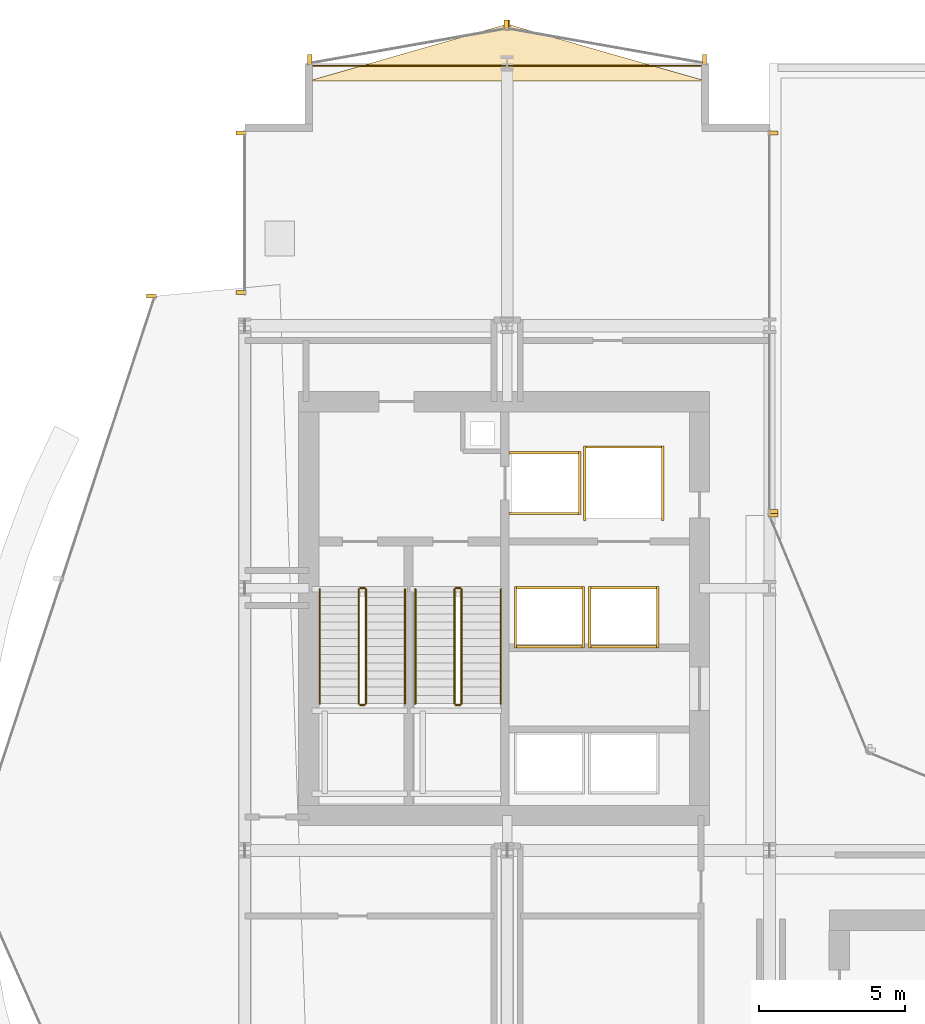
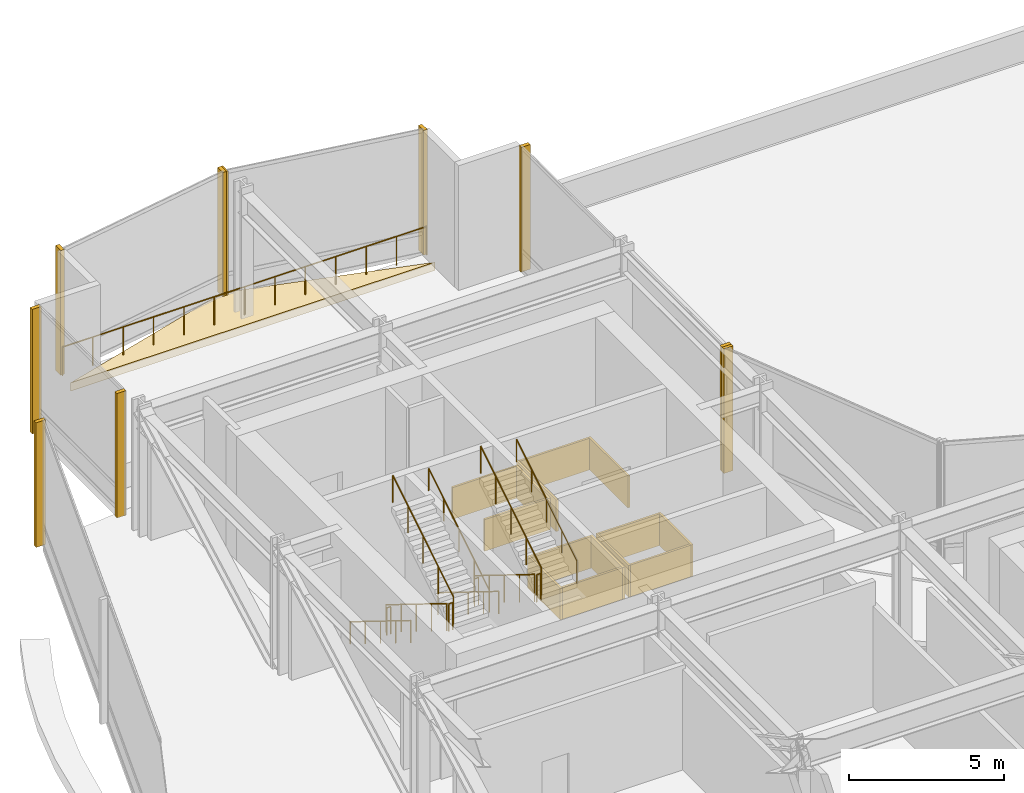
# One storey, part 35 of 37: 15 coverings, 13 railings, 10 shading devices.
"""IFC4 building model written with IfcOpenShell, lengths in metres."""

from ifc_helpers import new_model, si_unit, direction, frame, origin, origin_2d, place, context, subcontext, project, spatial, polyline, rectangle, circle, outline, extrude, material, layer, layer_set, type_object, element, save


model = new_model("IFC4")

# Units and contexts
model_context = context("Model", 3, precision=1e-05, world=origin(), true_north=direction((0.0, 1.0)))
body_context = subcontext(model_context, "Body", "Model", "MODEL_VIEW")
ifc_project = project(units=[si_unit("LENGTHUNIT", "METRE"), si_unit("AREAUNIT", "SQUARE_METRE"), si_unit("VOLUMEUNIT", "CUBIC_METRE"), si_unit("PLANEANGLEUNIT", "RADIAN"), si_unit("MASSUNIT", "GRAM", prefix="KILO")], contexts=[model_context])

# Site, building, storey
site_placement = place(None, origin())
site = spatial("IfcSite", under=ifc_project, at=site_placement, CompositionType="ELEMENT")
building_placement = place(site_placement, origin())
building = spatial("IfcBuilding", under=site, at=building_placement, Name="Solvaryn Broadcast Tower", CompositionType="ELEMENT")
storey_placement = place(building_placement, frame((0.0, 0.0, 30.800048828125)))
storey = spatial("IfcBuildingStorey", under=building, at=storey_placement, Name="L06", CompositionType="ELEMENT", Elevation=30.800048828125)

# Coverings
ifc_material_1 = material(Name="Fire-Rated Gypsum Shaftwall Liner", Category="concrete")
ifc_layer_1 = layer(ifc_material_1, 0.080078125)
ifc_layer_set_1 = layer_set([ifc_layer_1], Name="CV-SHAFT-LINER")
covering_type_1 = type_object("IfcCoveringType", Name="CV-SHAFT-LINER", PredefinedType="CLADDING", material=ifc_layer_set_1)
for number, where, z_axis, x_axis, name in (
    (1, (19.300048828125, 40.639892578125, 0.0), (0.0, 0.0, 1.0), (1.0, 0.0, 0.0), "L06 FL1 Hoistway Shaft Liner North"),
    (2, (19.300048828125, 38.56005859375, 0.0), (0.0, 0.0, 1.0), (1.0, 0.0, 0.0), "L06 FL1 Hoistway Shaft Liner South"),
):
    element("IfcCovering", number, at=place(storey_placement, frame(where, z_axis=z_axis, x_axis=x_axis)), inside=storey, type_object=covering_type_1, Name=name, PredefinedType="CLADDING", context=body_context, shape_type="SweptSolid", body=[
        extrude(rectangle(XDim=2.4599609375, YDim=0.080078125, at=origin_2d()), origin(), (0.0, 0.0, 1.0), 1.25),
    ])
covering_1_placement = place(storey_placement, frame((20.489990234375, 39.60009765625, 0.0), z_axis=(0.0, 0.0, 1.0), x_axis=(1.0, 0.0, 0.0)))
element("IfcCovering", 3, at=covering_1_placement, inside=storey, type_object=covering_type_1, Name="L06 FL1 Hoistway Shaft Liner East", PredefinedType="CLADDING", context=body_context, shape_type="SweptSolid", body=[
    extrude(rectangle(XDim=0.080078125, YDim=2.159912109375, at=origin_2d()), origin(), (0.0, 0.0, 1.0), 1.25),
])
covering_2_placement = place(storey_placement, frame((22.0, 40.840087890625, 0.0), z_axis=(0.0, 0.0, 1.0), x_axis=(1.0, 0.0, 0.0)))
element("IfcCovering", 4, at=covering_2_placement, inside=storey, type_object=covering_type_1, Name="L06 SV1 Hoistway Shaft Liner North", PredefinedType="CLADDING", context=body_context, shape_type="SweptSolid", body=[
    extrude(rectangle(XDim=2.760009765625, YDim=0.080078125, at=origin_2d()), origin(), (0.0, 0.0, 1.0), 1.25),
])
for number, where, z_axis, x_axis, name in (
    (5, (23.340087890625, 39.60009765625, 0.0), (0.0, 0.0, 1.0), (1.0, 0.0, 0.0), "L06 SV1 Hoistway Shaft Liner East"),
    (6, (20.659912109375, 39.60009765625, 0.0), (0.0, 0.0, 1.0), (1.0, 0.0, 0.0), "L06 SV1 Hoistway Shaft Liner West"),
):
    element("IfcCovering", number, at=place(storey_placement, frame(where, z_axis=z_axis, x_axis=x_axis)), inside=storey, type_object=covering_type_1, Name=name, PredefinedType="CLADDING", context=body_context, shape_type="SweptSolid", body=[
        extrude(rectangle(XDim=0.080078125, YDim=2.56005859375, at=origin_2d()), origin(), (0.0, 0.0, 1.0), 1.25),
    ])
for number, where, z_axis, x_axis, name in (
    (7, (19.449951171875, 36.014892578125, 0.0), (0.0, 0.0, 1.0), (1.0, 0.0, 0.0), "L06 PH3 Hoistway Shaft Liner North"),
    (8, (19.449951171875, 33.985107421875, 0.0), (0.0, 0.0, 1.0), (1.0, 0.0, 0.0), "L06 PH3 Hoistway Shaft Liner South"),
):
    element("IfcCovering", number, at=place(storey_placement, frame(where, z_axis=z_axis, x_axis=x_axis)), inside=storey, type_object=covering_type_1, Name=name, PredefinedType="CLADDING", context=body_context, shape_type="SweptSolid", body=[
        extrude(rectangle(XDim=2.409912109375, YDim=0.080078125, at=origin_2d()), origin(), (0.0, 0.0, 1.0), 1.25),
    ])
for number, where, z_axis, x_axis, name in (
    (9, (20.614990234375, 35.0, 0.0), (0.0, 0.0, 1.0), (1.0, 0.0, 0.0), "L06 PH3 Hoistway Shaft Liner East"),
    (10, (18.284912109375, 35.0, 0.0), (0.0, 0.0, 1.0), (1.0, 0.0, 0.0), "L06 PH3 Hoistway Shaft Liner West"),
):
    element("IfcCovering", number, at=place(storey_placement, frame(where, z_axis=z_axis, x_axis=x_axis)), inside=storey, type_object=covering_type_1, Name=name, PredefinedType="CLADDING", context=body_context, shape_type="SweptSolid", body=[
        extrude(rectangle(XDim=0.080078125, YDim=2.110107421875, at=origin_2d()), origin(), (0.0, 0.0, 1.0), 1.25),
    ])
for number, where, z_axis, x_axis, name in (
    (11, (22.0, 36.014892578125, 0.0), (0.0, 0.0, 1.0), (1.0, 0.0, 0.0), "L06 PH4 Hoistway Shaft Liner North"),
    (12, (22.0, 33.985107421875, 0.0), (0.0, 0.0, 1.0), (1.0, 0.0, 0.0), "L06 PH4 Hoistway Shaft Liner South"),
):
    element("IfcCovering", number, at=place(storey_placement, frame(where, z_axis=z_axis, x_axis=x_axis)), inside=storey, type_object=covering_type_1, Name=name, PredefinedType="CLADDING", context=body_context, shape_type="SweptSolid", body=[
        extrude(rectangle(XDim=2.409912109375, YDim=0.080078125, at=origin_2d()), origin(), (0.0, 0.0, 1.0), 1.25),
    ])
for number, where, z_axis, x_axis, name in (
    (13, (23.1650390625, 35.0, 0.0), (0.0, 0.0, 1.0), (1.0, 0.0, 0.0), "L06 PH4 Hoistway Shaft Liner East"),
    (14, (20.8349609375, 35.0, 0.0), (0.0, 0.0, 1.0), (1.0, 0.0, 0.0), "L06 PH4 Hoistway Shaft Liner West"),
):
    element("IfcCovering", number, at=place(storey_placement, frame(where, z_axis=z_axis, x_axis=x_axis)), inside=storey, type_object=covering_type_1, Name=name, PredefinedType="CLADDING", context=body_context, shape_type="SweptSolid", body=[
        extrude(rectangle(XDim=0.080078125, YDim=2.110107421875, at=origin_2d()), origin(), (0.0, 0.0, 1.0), 1.25),
    ])
ifc_material_2 = material(Name="Sculpted Architectural Terracotta Wave Fascia", Category="masonry")
ifc_layer_2 = layer(ifc_material_2, 0.340087890625)
ifc_layer_set_2 = layer_set([ifc_layer_2], Name="CV-WAVE-TRAY")
covering_type_2 = type_object("IfcCoveringType", Name="CV-WAVE-TRAY", PredefinedType="CLADDING", material=ifc_layer_set_2)
covering_3_placement = place(storey_placement, frame((0.0, 0.0, -0.300048828125)))
element("IfcCovering", 15, at=covering_3_placement, inside=storey, type_object=covering_type_2, Name="L06 North Curved Wing Deck", PredefinedType="CLADDING", context=body_context, shape_type="SweptSolid", body=[
    extrude(outline(polyline([(11.199951171875, 53.39990234375), (24.800048828125, 53.39990234375), (18.0, 55.35009765625), (11.199951171875, 53.39990234375)])), origin(), (0.0, 0.0, 1.0), 0.330078125),
])

# Railings
ifc_material_3 = material(Name="Painted Steel Stair Well Guard", Category="steel")
railing_type_1 = type_object("IfcRailingType", Name="RL-STAIR-GUARD", PredefinedType="BALUSTRADE", material=ifc_material_3)
railing_1_placement = place(storey_placement, frame((12.909912109375, 35.9599609375, 0.17333984375)))
element("IfcRailing", 16, at=railing_1_placement, inside=storey, type_object=railing_type_1, Name="L06 ST1 stair guard 1", PredefinedType="BALUSTRADE", context=body_context, shape_type="SweptSolid", body=[
    extrude(circle(Radius=0.02392578125, at=origin_2d()), frame((0.0, 0.0, 1.076171875), z_axis=(0.0, -0.850275303828, 0.526338206574), x_axis=(1.0, 0.0, 0.0)), (0.0, 0.0, 1.0), 4.610107421875),
    extrude(circle(Radius=0.02099609375, at=origin_2d()), origin(), (0.0, 0.0, 1.0), 1.052001953125),
    extrude(circle(Radius=0.02099609375, at=origin_2d()), frame((0.0, -0.97998046875, 0.606689453125)), (0.0, 0.0, 1.0), 1.052001953125),
    extrude(circle(Radius=0.02099609375, at=origin_2d()), frame((0.0, -1.9599609375, 1.21337890625)), (0.0, 0.0, 1.0), 1.052001953125),
    extrude(circle(Radius=0.02099609375, at=origin_2d()), frame((0.0, -2.93994140625, 1.81982421875)), (0.0, 0.0, 1.0), 1.052001953125),
    extrude(circle(Radius=0.02099609375, at=origin_2d()), frame((0.0, -3.919921875, 2.426513671875)), (0.0, 0.0, 1.0), 1.052001953125),
])
railing_2_placement = place(storey_placement, frame((12.9599609375, 31.989990234375, 2.599853515625)))
element("IfcRailing", 17, at=railing_2_placement, inside=storey, type_object=railing_type_1, Name="L06 ST1 stair guard 2", PredefinedType="BALUSTRADE", context=body_context, shape_type="SweptSolid", body=[
    extrude(circle(Radius=0.02392578125, at=origin_2d()), frame((0.0, 0.0, 1.076171875), z_axis=(1.0, 0.0, 0.0), x_axis=(0.0, 1.0, 0.0)), (0.0, 0.0, 1.0), 0.150146484375),
    extrude(circle(Radius=0.02099609375, at=origin_2d()), origin(), (0.0, 0.0, 1.0), 1.052001953125),
    extrude(circle(Radius=0.02099609375, at=origin_2d()), frame((0.150146484375, 0.0, 0.0)), (0.0, 0.0, 1.0), 1.052001953125),
])
railing_3_placement = place(storey_placement, frame((13.159912109375, 32.0400390625, 2.773193359375)))
element("IfcRailing", 18, at=railing_3_placement, inside=storey, type_object=railing_type_1, Name="L06 ST1 stair guard 3", PredefinedType="BALUSTRADE", context=body_context, shape_type="SweptSolid", body=[
    extrude(circle(Radius=0.02392578125, at=origin_2d()), frame((0.0, 0.0, 1.076171875), z_axis=(0.0, 0.850251603719, 0.526376491091), x_axis=(-1.0, 0.0, 0.0)), (0.0, 0.0, 1.0), 4.6103515625),
    extrude(circle(Radius=0.02099609375, at=origin_2d()), origin(), (0.0, 0.0, 1.0), 1.052001953125),
    extrude(circle(Radius=0.02099609375, at=origin_2d()), frame((0.0, 0.97998046875, 0.606689453125)), (0.0, 0.0, 1.0), 1.052001953125),
    extrude(circle(Radius=0.02099609375, at=origin_2d()), frame((0.0, 1.9599609375, 1.21337890625)), (0.0, 0.0, 1.0), 1.052001953125),
    extrude(circle(Radius=0.02099609375, at=origin_2d()), frame((0.0, 2.93994140625, 1.820068359375)), (0.0, 0.0, 1.0), 1.052001953125),
    extrude(circle(Radius=0.02099609375, at=origin_2d()), frame((0.0, 3.919921875, 2.4267578125)), (0.0, 0.0, 1.0), 1.052001953125),
])
railing_4_placement = place(storey_placement, frame((12.9599609375, 36.010009765625, 0.0)))
element("IfcRailing", 19, at=railing_4_placement, inside=storey, type_object=railing_type_1, Name="L06 ST1 stair guard 4", PredefinedType="BALUSTRADE", context=body_context, shape_type="SweptSolid", body=[
    extrude(circle(Radius=0.02392578125, at=origin_2d()), frame((0.0, 0.0, 1.076171875), z_axis=(1.0, 0.0, 0.0), x_axis=(0.0, 1.0, 0.0)), (0.0, 0.0, 1.0), 0.150146484375),
    extrude(circle(Radius=0.02099609375, at=origin_2d()), origin(), (0.0, 0.0, 1.0), 1.052001953125),
    extrude(circle(Radius=0.02099609375, at=origin_2d()), frame((0.150146484375, 0.0, 0.0)), (0.0, 0.0, 1.0), 1.052001953125),
])
railing_5_placement = place(storey_placement, frame((16.18994140625, 35.9599609375, 0.17333984375)))
element("IfcRailing", 20, at=railing_5_placement, inside=storey, type_object=railing_type_1, Name="L06 ST2 stair guard 1", PredefinedType="BALUSTRADE", context=body_context, shape_type="SweptSolid", body=[
    extrude(circle(Radius=0.02392578125, at=origin_2d()), frame((0.0, 0.0, 1.076171875), z_axis=(0.0, -0.850275303828, 0.526338206574), x_axis=(1.0, 0.0, 0.0)), (0.0, 0.0, 1.0), 4.610107421875),
    extrude(circle(Radius=0.02099609375, at=origin_2d()), origin(), (0.0, 0.0, 1.0), 1.052001953125),
    extrude(circle(Radius=0.02099609375, at=origin_2d()), frame((0.0, -0.97998046875, 0.606689453125)), (0.0, 0.0, 1.0), 1.052001953125),
    extrude(circle(Radius=0.02099609375, at=origin_2d()), frame((0.0, -1.9599609375, 1.21337890625)), (0.0, 0.0, 1.0), 1.052001953125),
    extrude(circle(Radius=0.02099609375, at=origin_2d()), frame((0.0, -2.93994140625, 1.81982421875)), (0.0, 0.0, 1.0), 1.052001953125),
    extrude(circle(Radius=0.02099609375, at=origin_2d()), frame((0.0, -3.919921875, 2.426513671875)), (0.0, 0.0, 1.0), 1.052001953125),
])
railing_6_placement = place(storey_placement, frame((16.239990234375, 31.989990234375, 2.599853515625)))
element("IfcRailing", 21, at=railing_6_placement, inside=storey, type_object=railing_type_1, Name="L06 ST2 stair guard 2", PredefinedType="BALUSTRADE", context=body_context, shape_type="SweptSolid", body=[
    extrude(circle(Radius=0.02392578125, at=origin_2d()), frame((0.0, 0.0, 1.076171875), z_axis=(1.0, 0.0, 0.0), x_axis=(0.0, 1.0, 0.0)), (0.0, 0.0, 1.0), 0.14990234375),
    extrude(circle(Radius=0.02099609375, at=origin_2d()), origin(), (0.0, 0.0, 1.0), 1.052001953125),
    extrude(circle(Radius=0.02099609375, at=origin_2d()), frame((0.14990234375, 0.0, 0.0)), (0.0, 0.0, 1.0), 1.052001953125),
])
railing_7_placement = place(storey_placement, frame((16.43994140625, 32.0400390625, 2.773193359375)))
element("IfcRailing", 22, at=railing_7_placement, inside=storey, type_object=railing_type_1, Name="L06 ST2 stair guard 3", PredefinedType="BALUSTRADE", context=body_context, shape_type="SweptSolid", body=[
    extrude(circle(Radius=0.02392578125, at=origin_2d()), frame((0.0, 0.0, 1.076171875), z_axis=(0.0, 0.850251603719, 0.526376491091), x_axis=(-1.0, 0.0, 0.0)), (0.0, 0.0, 1.0), 4.6103515625),
    extrude(circle(Radius=0.02099609375, at=origin_2d()), origin(), (0.0, 0.0, 1.0), 1.052001953125),
    extrude(circle(Radius=0.02099609375, at=origin_2d()), frame((0.0, 0.97998046875, 0.606689453125)), (0.0, 0.0, 1.0), 1.052001953125),
    extrude(circle(Radius=0.02099609375, at=origin_2d()), frame((0.0, 1.9599609375, 1.21337890625)), (0.0, 0.0, 1.0), 1.052001953125),
    extrude(circle(Radius=0.02099609375, at=origin_2d()), frame((0.0, 2.93994140625, 1.820068359375)), (0.0, 0.0, 1.0), 1.052001953125),
    extrude(circle(Radius=0.02099609375, at=origin_2d()), frame((0.0, 3.919921875, 2.4267578125)), (0.0, 0.0, 1.0), 1.052001953125),
])
railing_8_placement = place(storey_placement, frame((16.239990234375, 36.010009765625, 0.0)))
element("IfcRailing", 23, at=railing_8_placement, inside=storey, type_object=railing_type_1, Name="L06 ST2 stair guard 4", PredefinedType="BALUSTRADE", context=body_context, shape_type="SweptSolid", body=[
    extrude(circle(Radius=0.02392578125, at=origin_2d()), frame((0.0, 0.0, 1.076171875), z_axis=(1.0, 0.0, 0.0), x_axis=(0.0, 1.0, 0.0)), (0.0, 0.0, 1.0), 0.14990234375),
    extrude(circle(Radius=0.02099609375, at=origin_2d()), origin(), (0.0, 0.0, 1.0), 1.052001953125),
    extrude(circle(Radius=0.02099609375, at=origin_2d()), frame((0.14990234375, 0.0, 0.0)), (0.0, 0.0, 1.0), 1.052001953125),
])
ifc_material_4 = material(Name="Brushed Stainless Steel Tubular Handrail", Category="steel")
railing_type_2 = type_object("IfcRailingType", Name="RL-STAIR-HANDRAIL", PredefinedType="HANDRAIL", material=ifc_material_4)
railing_9_placement = place(storey_placement, frame((11.570068359375, 35.9599609375, 0.17333984375)))
element("IfcRailing", 24, at=railing_9_placement, inside=storey, type_object=railing_type_2, Name="L06 ST1 stair handrail 1", PredefinedType="HANDRAIL", context=body_context, shape_type="SweptSolid", body=[
    extrude(circle(Radius=0.02392578125, at=origin_2d()), frame((0.0, 0.0, 0.8759765625), z_axis=(0.0, -0.850275303828, 0.526338206574), x_axis=(1.0, 0.0, 0.0)), (0.0, 0.0, 1.0), 4.610107421875),
    extrude(circle(Radius=0.02099609375, at=origin_2d()), origin(), (0.0, 0.0, 1.0), 0.851806640625),
    extrude(circle(Radius=0.02099609375, at=origin_2d()), frame((0.0, -0.97998046875, 0.606689453125)), (0.0, 0.0, 1.0), 0.851806640625),
    extrude(circle(Radius=0.02099609375, at=origin_2d()), frame((0.0, -1.9599609375, 1.21337890625)), (0.0, 0.0, 1.0), 0.851806640625),
    extrude(circle(Radius=0.02099609375, at=origin_2d()), frame((0.0, -2.93994140625, 1.81982421875)), (0.0, 0.0, 1.0), 0.851806640625),
    extrude(circle(Radius=0.02099609375, at=origin_2d()), frame((0.0, -3.919921875, 2.426513671875)), (0.0, 0.0, 1.0), 0.851806640625),
])
railing_10_placement = place(storey_placement, frame((14.5, 32.0400390625, 2.773193359375)))
element("IfcRailing", 25, at=railing_10_placement, inside=storey, type_object=railing_type_2, Name="L06 ST1 stair handrail 2", PredefinedType="HANDRAIL", context=body_context, shape_type="SweptSolid", body=[
    extrude(circle(Radius=0.02392578125, at=origin_2d()), frame((0.0, 0.0, 0.8759765625), z_axis=(0.0, 0.850251603719, 0.526376491091), x_axis=(-1.0, 0.0, 0.0)), (0.0, 0.0, 1.0), 4.6103515625),
    extrude(circle(Radius=0.02099609375, at=origin_2d()), origin(), (0.0, 0.0, 1.0), 0.851806640625),
    extrude(circle(Radius=0.02099609375, at=origin_2d()), frame((0.0, 0.97998046875, 0.606689453125)), (0.0, 0.0, 1.0), 0.851806640625),
    extrude(circle(Radius=0.02099609375, at=origin_2d()), frame((0.0, 1.9599609375, 1.21337890625)), (0.0, 0.0, 1.0), 0.851806640625),
    extrude(circle(Radius=0.02099609375, at=origin_2d()), frame((0.0, 2.93994140625, 1.820068359375)), (0.0, 0.0, 1.0), 0.851806640625),
    extrude(circle(Radius=0.02099609375, at=origin_2d()), frame((0.0, 3.919921875, 2.4267578125)), (0.0, 0.0, 1.0), 0.851806640625),
])
railing_11_placement = place(storey_placement, frame((14.85009765625, 35.9599609375, 0.17333984375)))
element("IfcRailing", 26, at=railing_11_placement, inside=storey, type_object=railing_type_2, Name="L06 ST2 stair handrail 1", PredefinedType="HANDRAIL", context=body_context, shape_type="SweptSolid", body=[
    extrude(circle(Radius=0.02392578125, at=origin_2d()), frame((0.0, 0.0, 0.8759765625), z_axis=(0.0, -0.850275303828, 0.526338206574), x_axis=(1.0, 0.0, 0.0)), (0.0, 0.0, 1.0), 4.610107421875),
    extrude(circle(Radius=0.02099609375, at=origin_2d()), origin(), (0.0, 0.0, 1.0), 0.851806640625),
    extrude(circle(Radius=0.02099609375, at=origin_2d()), frame((0.0, -0.97998046875, 0.606689453125)), (0.0, 0.0, 1.0), 0.851806640625),
    extrude(circle(Radius=0.02099609375, at=origin_2d()), frame((0.0, -1.9599609375, 1.21337890625)), (0.0, 0.0, 1.0), 0.851806640625),
    extrude(circle(Radius=0.02099609375, at=origin_2d()), frame((0.0, -2.93994140625, 1.81982421875)), (0.0, 0.0, 1.0), 0.851806640625),
    extrude(circle(Radius=0.02099609375, at=origin_2d()), frame((0.0, -3.919921875, 2.426513671875)), (0.0, 0.0, 1.0), 0.851806640625),
])
railing_12_placement = place(storey_placement, frame((17.780029296875, 32.0400390625, 2.773193359375)))
element("IfcRailing", 27, at=railing_12_placement, inside=storey, type_object=railing_type_2, Name="L06 ST2 stair handrail 2", PredefinedType="HANDRAIL", context=body_context, shape_type="SweptSolid", body=[
    extrude(circle(Radius=0.02392578125, at=origin_2d()), frame((0.0, 0.0, 0.8759765625), z_axis=(0.0, 0.850251603719, 0.526376491091), x_axis=(-1.0, 0.0, 0.0)), (0.0, 0.0, 1.0), 4.6103515625),
    extrude(circle(Radius=0.02099609375, at=origin_2d()), origin(), (0.0, 0.0, 1.0), 0.851806640625),
    extrude(circle(Radius=0.02099609375, at=origin_2d()), frame((0.0, 0.97998046875, 0.606689453125)), (0.0, 0.0, 1.0), 0.851806640625),
    extrude(circle(Radius=0.02099609375, at=origin_2d()), frame((0.0, 1.9599609375, 1.21337890625)), (0.0, 0.0, 1.0), 0.851806640625),
    extrude(circle(Radius=0.02099609375, at=origin_2d()), frame((0.0, 2.93994140625, 1.820068359375)), (0.0, 0.0, 1.0), 0.851806640625),
    extrude(circle(Radius=0.02099609375, at=origin_2d()), frame((0.0, 3.919921875, 2.4267578125)), (0.0, 0.0, 1.0), 0.851806640625),
])
ifc_material_5 = material(Name="Stainless Steel and Laminated Glass Guard", Category="steel")
railing_type_3 = type_object("IfcRailingType", Name="RL-TER-1150", PredefinedType="BALUSTRADE", material=ifc_material_5)
railing_13_placement = place(storey_placement, frame((11.199951171875, 53.919921875, 0.0)))
element("IfcRailing", 28, at=railing_13_placement, inside=storey, type_object=railing_type_3, Name="L06 North Wing Spandrel Edge Guard", PredefinedType="BALUSTRADE", context=body_context, shape_type="SweptSolid", body=[
    extrude(circle(Radius=0.02392578125, at=origin_2d()), frame((0.0, 0.0, 1.1259765625), z_axis=(1.0, 0.0, 0.0), x_axis=(0.0, 1.0, 0.0)), (0.0, 0.0, 1.0), 13.60009765625),
    extrude(circle(Radius=0.02099609375, at=origin_2d()), origin(), (0.0, 0.0, 1.0), 1.101806640625),
    extrude(circle(Radius=0.02099609375, at=origin_2d()), frame((1.13330078125, 0.0, 0.0)), (0.0, 0.0, 1.0), 1.101806640625),
    extrude(circle(Radius=0.02099609375, at=origin_2d()), frame((2.2666015625, 0.0, 0.0)), (0.0, 0.0, 1.0), 1.101806640625),
    extrude(circle(Radius=0.02099609375, at=origin_2d()), frame((3.39990234375, 0.0, 0.0)), (0.0, 0.0, 1.0), 1.101806640625),
    extrude(circle(Radius=0.02099609375, at=origin_2d()), frame((4.533447265625, 0.0, 0.0)), (0.0, 0.0, 1.0), 1.101806640625),
    extrude(circle(Radius=0.02099609375, at=origin_2d()), frame((5.666748046875, 0.0, 0.0)), (0.0, 0.0, 1.0), 1.101806640625),
    extrude(circle(Radius=0.02099609375, at=origin_2d()), frame((6.800048828125, 0.0, 0.0)), (0.0, 0.0, 1.0), 1.101806640625),
    extrude(circle(Radius=0.02099609375, at=origin_2d()), frame((7.933349609375, 0.0, 0.0)), (0.0, 0.0, 1.0), 1.101806640625),
    extrude(circle(Radius=0.02099609375, at=origin_2d()), frame((9.066650390625, 0.0, 0.0)), (0.0, 0.0, 1.0), 1.101806640625),
    extrude(circle(Radius=0.02099609375, at=origin_2d()), frame((10.2001953125, 0.0, 0.0)), (0.0, 0.0, 1.0), 1.101806640625),
    extrude(circle(Radius=0.02099609375, at=origin_2d()), frame((11.33349609375, 0.0, 0.0)), (0.0, 0.0, 1.0), 1.101806640625),
    extrude(circle(Radius=0.02099609375, at=origin_2d()), frame((12.466796875, 0.0, 0.0)), (0.0, 0.0, 1.0), 1.101806640625),
    extrude(circle(Radius=0.02099609375, at=origin_2d()), frame((13.60009765625, 0.0, 0.0)), (0.0, 0.0, 1.0), 1.101806640625),
])

# Shading devices
ifc_material_6 = material(Name="Anodised Aluminium Acoustic Louvre", Category="aluminium")
shading_device_type = type_object("IfcShadingDeviceType", Name="LV-01 Plant Intake Louvre", PredefinedType="USERDEFINED", material=ifc_material_6)
for number, where, z_axis, x_axis, name in (
    (29, (5.792724609375, 46.02490234375, 0.0), (0.0, 0.0, 1.0), (1.0, 0.0, 0.0), "L06 Plant Acoustic Louvre LV-CW-L06-DR1/M00"),
    (30, (8.875, 46.14599609375, 0.0), (0.0, 0.0, 1.0), (1.0, 0.0, 0.0), "L06 Plant Acoustic Louvre LV-CW-L06-W2/M00"),
    (31, (8.875, 51.6201171875, 0.0), (0.0, 0.0, 1.0), (1.0, 0.0, 0.0), "L06 Plant Acoustic Louvre LV-CW-L06-W2/M01"),
    (32, (27.125, 51.6201171875, 0.0), (0.0, 0.0, 1.0), (1.0, 0.0, 0.0), "L06 Plant Acoustic Louvre LV-CW-L06-IV/M00"),
    (33, (27.125, 38.6298828125, 0.0), (0.0, 0.0, 1.0), (1.0, 0.0, 0.0), "L06 Plant Acoustic Louvre LV-CW-L06-IV/M01"),
    (34, (27.12255859375, 38.518310546875, 0.0), (0.0, 0.0, 1.0), (1.0, 0.0, 0.0), "L06 Plant Acoustic Louvre LV-CW-L06-CN2/M01"),
):
    element("IfcShadingDevice", number, at=place(storey_placement, frame(where, z_axis=z_axis, x_axis=x_axis)), inside=storey, type_object=shading_device_type, Name=name, ObjectType="LOUVRE", PredefinedType="USERDEFINED", context=body_context, shape_type="SweptSolid", body=[
        extrude(rectangle(XDim=0.340087890625, YDim=0.139892578125, at=origin_2d()), origin(), (0.0, 0.0, 1.0), 4.919921875),
    ])
for number, where, z_axis, x_axis, name in (
    (35, (24.7705078125, 54.130126953125, 0.0), (0.0, 0.0, 1.0), (1.0, 0.0, 0.0), "L06 Plant Acoustic Louvre LV-CW-L06-NT1/M00"),
    (36, (18.029541015625, 55.31982421875, 0.0), (0.0, 0.0, 1.0), (1.0, 0.0, 0.0), "L06 Plant Acoustic Louvre LV-CW-L06-NT1/M01"),
    (37, (17.970458984375, 55.31982421875, 0.0), (0.0, 0.0, 1.0), (1.0, 0.0, 0.0), "L06 Plant Acoustic Louvre LV-CW-L06-NT2/M00"),
    (38, (11.2294921875, 54.130126953125, 0.0), (0.0, 0.0, 1.0), (1.0, 0.0, 0.0), "L06 Plant Acoustic Louvre LV-CW-L06-NT2/M01"),
):
    element("IfcShadingDevice", number, at=place(storey_placement, frame(where, z_axis=z_axis, x_axis=x_axis)), inside=storey, type_object=shading_device_type, Name=name, ObjectType="LOUVRE", PredefinedType="USERDEFINED", context=body_context, shape_type="SweptSolid", body=[
        extrude(rectangle(XDim=0.139892578125, YDim=0.340087890625, at=origin_2d()), origin(), (0.0, 0.0, 1.0), 4.919921875),
    ])

save(model, "model.ifc")
